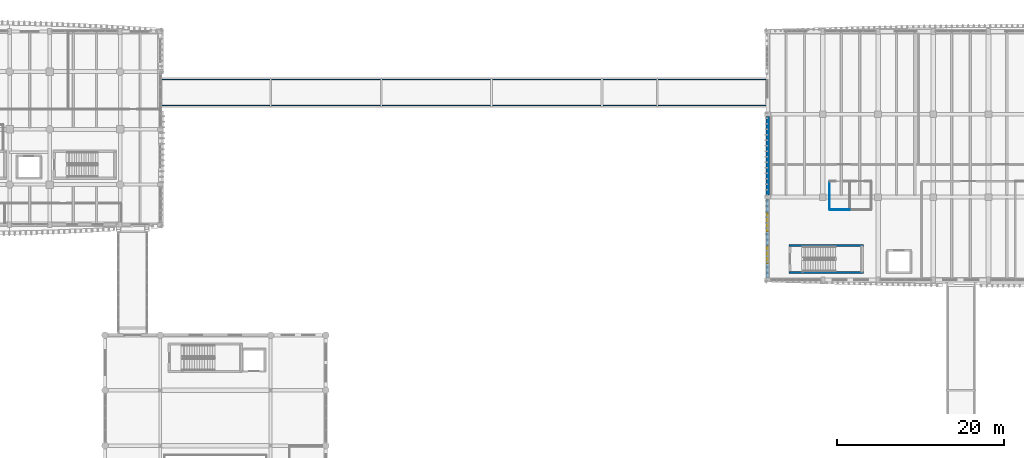
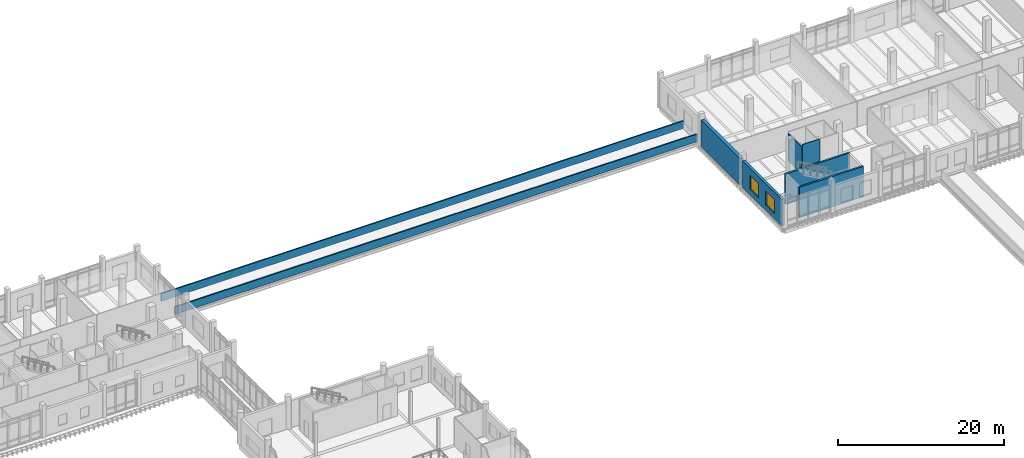
# One storey, part 73 of 101: 8 walls, 2 windows, 2 openings.
"""IFC4 building model written with IfcOpenShell, lengths in metres."""

from ifc_helpers import new_model, si_unit, direction, frame, frame_2d, origin, place, context, subcontext, project, spatial, rectangle, extrude, material, layer, layer_set, type_object, element, fill, save


model = new_model("IFC4")

# Units and contexts
model_context = context("Model", 3, precision=1e-05, world=origin(), true_north=direction((0.0, 1.0)))
body_context = subcontext(model_context, "Body", "Model", "MODEL_VIEW")
ifc_project = project(units=[si_unit("LENGTHUNIT", "METRE"), si_unit("AREAUNIT", "SQUARE_METRE"), si_unit("VOLUMEUNIT", "CUBIC_METRE"), si_unit("PLANEANGLEUNIT", "RADIAN"), si_unit("MASSUNIT", "GRAM", prefix="KILO")], contexts=[model_context])

# Site, building, storey
site_placement = place(None, origin())
site = spatial("IfcSite", under=ifc_project, at=site_placement, CompositionType="ELEMENT")
building_placement = place(site_placement, origin())
building = spatial("IfcBuilding", under=site, at=building_placement, Name="Dornvale Research Institute", CompositionType="ELEMENT")
storey_placement = place(building_placement, frame((0.0, 0.0, 10.199951171875)))
storey = spatial("IfcBuildingStorey", under=building, at=storey_placement, Name="L02", CompositionType="ELEMENT", Elevation=10.199951171875)

# Walls
ifc_material_1 = material(Name="Concrete f'c 40 MPa (C32/40)", Category="concrete")
ifc_layer_1 = layer(ifc_material_1, 0.179931640625)
ifc_layer_set_1 = layer_set([ifc_layer_1], Name="Concrete f'c 40 MPa (C32/40)")
wall_type_1 = type_object("IfcWallType", Name="Parapet_Terrace_180", PredefinedType="PARAPET", material=ifc_layer_set_1)
for number, where, z_axis, x_axis, name in (
    (1, (46.239990234375, 113.18994140625, 0.0), (0.0, 0.0, 1.0), (1.0, 0.0, 0.0), "L02 BRROOF-BR-5 parapet S"),
    (2, (46.239990234375, 116.409912109375, 0.0), (0.0, 0.0, 1.0), (1.0, 0.0, 0.0), "L02 BRROOF-BR-5 parapet N"),
):
    element("IfcWall", number, at=place(storey_placement, frame(where, z_axis=z_axis, x_axis=x_axis)), inside=storey, type_object=wall_type_1, Name=name, PredefinedType="PARAPET", context=body_context, shape_type="SweptSolid", body=[
        extrude(rectangle(XDim=72.52001953125, YDim=0.179931640625, at=frame_2d((36.260009765625, 0.0))), origin(), (0.0, 0.0, 1.0), 1.1201171875),
    ])
ifc_material_2 = material(Name="Acoustic Insulated Double-Stud Laboratory Partition")
ifc_layer_2 = layer(ifc_material_2, 0.10009765625)
ifc_layer_set_2 = layer_set([ifc_layer_2], Name="Acoustic Insulated Double-Stud Laboratory Partition")
wall_type_2 = type_object("IfcWallType", Name="Partition_Office_100", PredefinedType="PARTITIONING", material=ifc_layer_set_2)
wall_1_placement = place(storey_placement, frame((126.199951171875, 100.800048828125, 0.0), z_axis=(0.0, 0.0, 1.0), x_axis=(1.0, 0.0, 0.0)))
element("IfcWall", 3, at=wall_1_placement, inside=storey, type_object=wall_type_2, Name="L02 V4 interior partition #266", PredefinedType="PARTITIONING", context=body_context, shape_type="SweptSolid", body=[
    extrude(rectangle(XDim=2.400146484375, YDim=0.10009765625, at=frame_2d((1.2001953125, 0.0))), origin(), (0.0, 0.0, 1.0), 4.43994140625),
])
wall_2_placement = place(storey_placement, frame((126.199951171875, 100.864990234375, 0.0), z_axis=(0.0, 0.0, 1.0), x_axis=(0.0, 1.0, 0.0)))
element("IfcWall", 4, at=wall_2_placement, inside=storey, type_object=wall_type_2, Name="L02 V4 interior partition #268", PredefinedType="PARTITIONING", context=body_context, shape_type="SweptSolid", body=[
    extrude(rectangle(XDim=3.27001953125, YDim=0.10009765625, at=frame_2d((1.635009765625, 0.0))), origin(), (0.0, 0.0, 1.0), 4.06494140625),
])
ifc_material_3 = material(Name="Concrete f'c 45 MPa (C35/45)", Category="concrete")
ifc_layer_3 = layer(ifc_material_3, 0.25)
ifc_layer_set_3 = layer_set([ifc_layer_3], Name="Concrete f'c 45 MPa (C35/45)")
wall_type_3 = type_object("IfcWallType", Name="ShearWall_Core_250", PredefinedType="SHEAR", material=ifc_layer_set_3)
for number, where, z_axis, x_axis, name in (
    (5, (121.35009765625, 93.27490234375, 0.0), (0.0, 0.0, 1.0), (1.0, 0.0, 0.0), "L02 ST-3 shaft shear wall south"),
    (6, (121.35009765625, 96.52490234375, 0.0), (0.0, 0.0, 1.0), (1.0, 0.0, 0.0), "L02 ST-3 shaft shear wall north"),
):
    element("IfcWall", number, at=place(storey_placement, frame(where, z_axis=z_axis, x_axis=x_axis)), inside=storey, type_object=wall_type_3, Name=name, PredefinedType="SHEAR", context=body_context, shape_type="SweptSolid", body=[
        extrude(rectangle(XDim=8.89990234375, YDim=0.25, at=frame_2d((4.449951171875, 0.0))), origin(), (0.0, 0.0, 1.0), 4.4599609375),
    ])
ifc_material_4 = material(Name="Precast Concrete f'c 40 MPa (C32/40) and Glazed Terracotta Backup Wall", Category="masonry")
ifc_layer_4 = layer(ifc_material_4, 0.449951171875)
ifc_layer_set_4 = layer_set([ifc_layer_4], Name="Precast Concrete f'c 40 MPa (C32/40) and Glazed Terracotta Backup Wall")
wall_type_4 = type_object("IfcWallType", Name="SolidWall_ShearBraceBay_450", PredefinedType="SOLIDWALL", material=ifc_layer_set_4)
wall_3_placement = place(storey_placement, frame((118.800048828125, 102.550048828125, 0.0), z_axis=(0.0, 0.0, 1.0), x_axis=(0.0, 1.0, 0.0)))
element("IfcWall", 7, at=wall_3_placement, inside=storey, type_object=wall_type_4, Name="L02 V4 west exterior wall #217", PredefinedType="SOLIDWALL", context=body_context, shape_type="SweptSolid", body=[
    extrude(rectangle(XDim=9.39990234375, YDim=0.449951171875, at=frame_2d((4.699951171875, 0.0))), origin(), (0.0, 0.0, 1.0), 3.949951171875),
])

# Wall, openings, windows
ifc_material_5 = material(Name="Catalan Pressed Brick and Insulated Cavity Assembly", Category="masonry")
ifc_layer_5 = layer(ifc_material_5, 0.360107421875)
ifc_layer_set_5 = layer_set([ifc_layer_5], Name="Catalan Pressed Brick and Insulated Cavity Assembly")
wall_type_5 = type_object("IfcWallType", Name="StandardWall_BrickCavity_360", PredefinedType="STANDARD", material=ifc_layer_set_5)
wall_4_placement = place(storey_placement, frame((118.800048828125, 92.64990234375, 0.0), z_axis=(0.0, 0.0, 1.0), x_axis=(0.0, 1.0, 0.0)))
wall_4 = element("IfcWall", 8, at=wall_4_placement, inside=storey, type_object=wall_type_5, Name="L02 V4 west exterior wall #216", PredefinedType="STANDARD", context=body_context, shape_type="SweptSolid", body=[
    extrude(rectangle(XDim=9.400146484375, YDim=0.360107421875, at=frame_2d((4.7001953125, 0.0))), origin(), (0.0, 0.0, 1.0), 3.949951171875),
])
opening_1_placement = place(wall_4_placement, frame((1.7333984375, 0.0, 0.85009765625)))
opening_1 = element("IfcOpeningElement", 9, at=opening_1_placement, cuts=wall_4, Name="Opening W-31", PredefinedType="OPENING", context=body_context, shape_type="SweptSolid", body=[
    extrude(rectangle(XDim=2.10009765625, YDim=2.0400390625, at=frame_2d((1.050048828125, 1.02001953125))), frame((0.0, 0.195068359375, 0.0), z_axis=(0.0, -1.0, 0.0), x_axis=(1.0, 0.0, 0.0)), (0.0, 0.0, 1.0), 0.39013671875),
])
opening_2_placement = place(wall_4_placement, frame((5.566650390625, 0.0, 0.85009765625)))
opening_2 = element("IfcOpeningElement", 10, at=opening_2_placement, cuts=wall_4, Name="Opening W-31", PredefinedType="OPENING", context=body_context, shape_type="SweptSolid", body=[
    extrude(rectangle(XDim=2.10009765625, YDim=2.0400390625, at=frame_2d((1.050048828125, 1.02001953125))), frame((0.0, 0.195068359375, 0.0), z_axis=(0.0, -1.0, 0.0), x_axis=(1.0, 0.0, 0.0)), (0.0, 0.0, 1.0), 0.39013671875),
])
ifc_material_6 = material(Name="Low-E Argon Double Insulating Glazing Unit", Category="glass")
window_type = type_object("IfcWindowType", Name="Window_Alu_2100x2040_31", PartitioningType="DOUBLE_PANEL_VERTICAL", PredefinedType="WINDOW", material=ifc_material_6)
window_1_placement = place(opening_1_placement, origin())
window_1 = element("IfcWindow", 11, at=window_1_placement, inside=storey, type_object=window_type, Name="L02 V4 facade window W-31 #288", OverallHeight=2.0400390625, OverallWidth=2.10009765625, PartitioningType="DOUBLE_PANEL_VERTICAL", PredefinedType="WINDOW", context=body_context, shape_type="SweptSolid", body=[
    extrude(rectangle(XDim=2.10009765625, YDim=2.0400390625, at=frame_2d((1.050048828125, 1.02001953125))), frame((0.0, 0.030029296875, 0.0), z_axis=(0.0, -1.0, 0.0), x_axis=(1.0, 0.0, 0.0)), (0.0, 0.0, 1.0), 0.06005859375),
])
fill(opening_1, window_1)
window_2_placement = place(opening_2_placement, origin())
window_2 = element("IfcWindow", 12, at=window_2_placement, inside=storey, type_object=window_type, Name="L02 V4 facade window W-31 #289", OverallHeight=2.0400390625, OverallWidth=2.10009765625, PartitioningType="DOUBLE_PANEL_VERTICAL", PredefinedType="WINDOW", context=body_context, shape_type="SweptSolid", body=[
    extrude(rectangle(XDim=2.10009765625, YDim=2.0400390625, at=frame_2d((1.050048828125, 1.02001953125))), frame((0.0, 0.030029296875, 0.0), z_axis=(0.0, -1.0, 0.0), x_axis=(1.0, 0.0, 0.0)), (0.0, 0.0, 1.0), 0.06005859375),
])
fill(opening_2, window_2)

save(model, "model.ifc")
